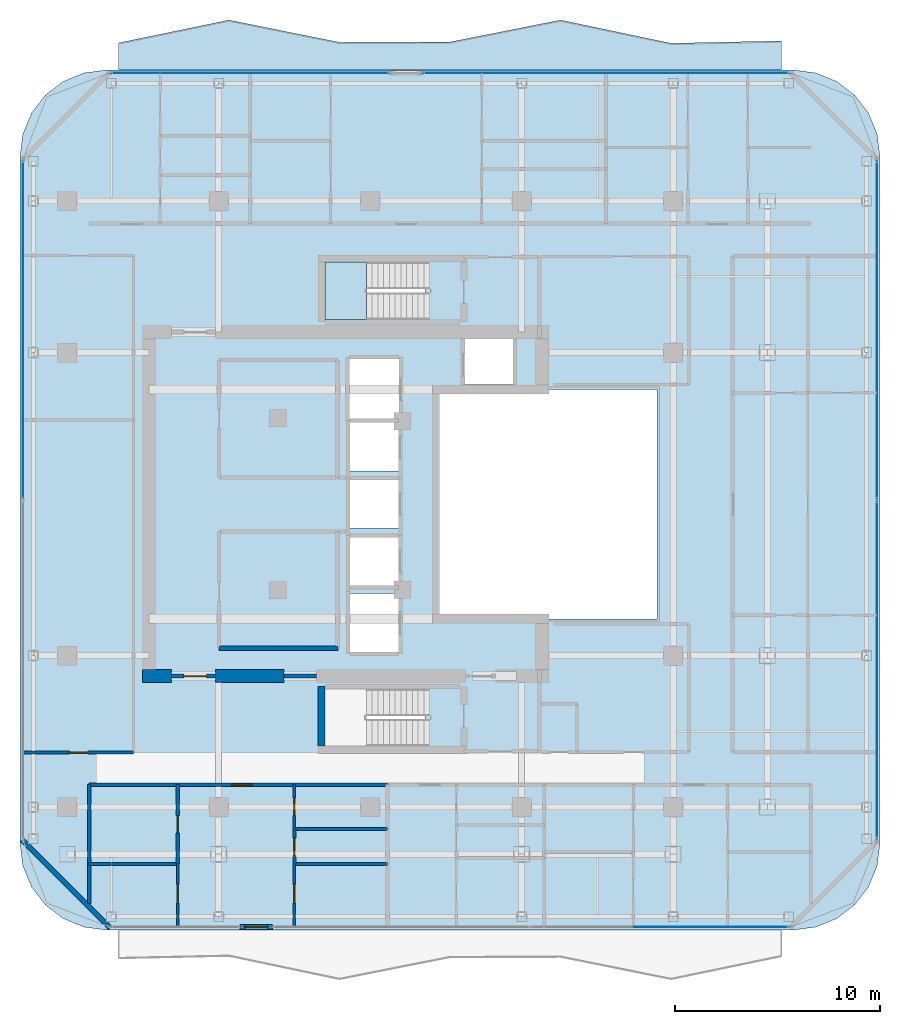
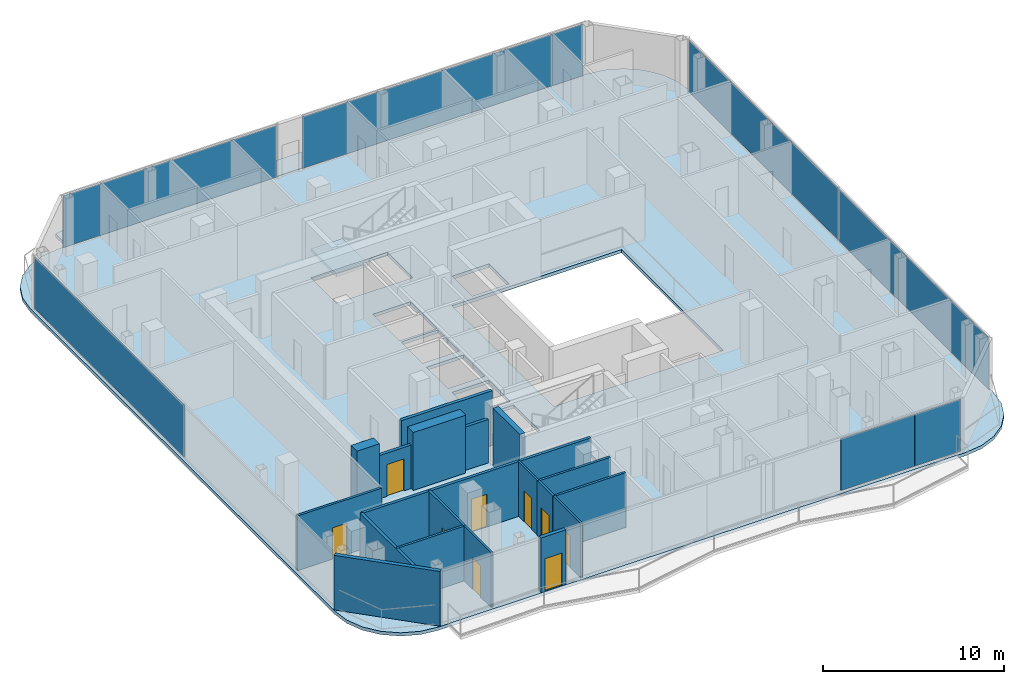
# One storey, part 16 of 23: 19 walls, 9 doors, 8 plates, 3 slabs, 9 openings, 6 elements without a shape of their own.
"""IFC4 building model written with IfcOpenShell, lengths in metres."""

from ifc_helpers import new_model, si_unit, direction, frame, frame_2d, origin, origin_2d, place, context, subcontext, project, spatial, polyline, rectangle, outline, extrude, material, layer, layer_set, type_object, element, fill, aggregate, save


model = new_model("IFC4")

# Units and contexts
model_context = context("Model", 3, precision=1e-05, world=origin(), true_north=direction((0.0, 1.0)))
body_context = subcontext(model_context, "Body", "Model", "MODEL_VIEW")
ifc_project = project(units=[si_unit("LENGTHUNIT", "METRE"), si_unit("AREAUNIT", "SQUARE_METRE"), si_unit("VOLUMEUNIT", "CUBIC_METRE"), si_unit("PLANEANGLEUNIT", "RADIAN"), si_unit("MASSUNIT", "GRAM", prefix="KILO")], contexts=[model_context])

# Site, building, storey
site_placement = place(None, origin())
site = spatial("IfcSite", under=ifc_project, at=site_placement, CompositionType="ELEMENT")
building_placement = place(site_placement, origin())
building = spatial("IfcBuilding", under=site, at=building_placement, Name="Khorvyn Point Tower", CompositionType="ELEMENT")
storey_placement = place(building_placement, frame((0.0, 0.0, 274.199951171875)))
storey = spatial("IfcBuildingStorey", under=building, at=storey_placement, Name="L67", CompositionType="ELEMENT", Elevation=274.199951171875)

# Slabs
ifc_material_1 = material(Name="Concrete C35/45", Category="concrete")
ifc_layer_1 = layer(ifc_material_1, 0.219970703125)
ifc_layer_set_1 = layer_set([ifc_layer_1], Name="Concrete C35/45 Structural Floor Slab 220")
slab_type_1 = type_object("IfcSlabType", Name="Concrete C35/45 Structural Floor Slab 220", PredefinedType="FLOOR", material=ifc_layer_set_1)
slab_1_placement = place(storey_placement, frame((0.0, 0.0, -0.219970703125)))
element("IfcSlab", 1, at=slab_1_placement, inside=storey, type_object=slab_type_1, Name="L67 Main Structural Floor Slab", PredefinedType="FLOOR", context=body_context, shape_type="SweptSolid", body=[
    extrude(outline(polyline([(-12.89990234375, -20.800048828125), (-13.987060546875, -20.656982421875), (-15.0, -20.2373046875), (-15.869873046875, -19.56982421875), (-16.537353515625, -18.699951171875), (-16.956787109375, -17.68701171875), (-17.10009765625, -16.60009765625), (-17.10009765625, 17.0), (-16.956787109375, 18.0869140625), (-16.537353515625, 19.10009765625), (-15.869873046875, 19.9697265625), (-15.0, 20.63720703125), (-13.987060546875, 21.056884765625), (-12.89990234375, 21.199951171875), (20.699951171875, 21.199951171875), (21.787109375, 21.056884765625), (22.800048828125, 20.63720703125), (23.669921875, 19.9697265625), (24.33740234375, 19.10009765625), (24.7568359375, 18.0869140625), (24.89990234375, 17.0), (24.89990234375, -16.60009765625), (24.7568359375, -17.68701171875), (24.33740234375, -18.699951171875), (23.669921875, -19.56982421875), (22.800048828125, -20.2373046875), (21.787109375, -20.656982421875), (20.699951171875, -20.800048828125), (-12.89990234375, -20.800048828125)]), holes=[polyline([(2.679931640625, -11.820068359375), (2.679931640625, -9.02001953125), (-2.199951171875, -9.02001953125), (-2.199951171875, -11.820068359375), (2.679931640625, -11.820068359375)]), polyline([(1.375, -7.22509765625), (1.375, -4.375), (-0.97509765625, -4.375), (-0.97509765625, -7.22509765625), (1.375, -7.22509765625)]), polyline([(1.375, -3.97509765625), (1.375, -1.625), (-0.97509765625, -1.625), (-0.97509765625, -3.97509765625), (1.375, -3.97509765625)]), polyline([(1.375, -1.175048828125), (1.375, 1.175048828125), (-0.97509765625, 1.175048828125), (-0.97509765625, -1.175048828125), (1.375, -1.175048828125)]), polyline([(14.0, -5.60009765625), (14.0, 5.60009765625), (3.199951171875, 5.60009765625), (3.199951171875, -5.60009765625), (14.0, -5.60009765625)]), polyline([(1.375, 1.625), (1.375, 3.97509765625), (-0.97509765625, 3.97509765625), (-0.97509765625, 1.625), (1.375, 1.625)]), polyline([(1.39990234375, 4.125), (1.39990234375, 7.074951171875), (-1.0, 7.074951171875), (-1.0, 4.125), (1.39990234375, 4.125)]), polyline([(4.625, 5.85009765625), (6.97509765625, 5.85009765625), (6.97509765625, 8.054931640625), (4.625, 8.054931640625), (4.625, 5.85009765625)]), polyline([(-2.199951171875, 9.02001953125), (2.679931640625, 9.02001953125), (2.679931640625, 11.820068359375), (-2.199951171875, 11.820068359375), (-2.199951171875, 9.02001953125)])]), origin(), (0.0, 0.0, 1.0), 0.219970703125),
])
ifc_material_2 = material(Name="Concrete C40/50", Category="concrete")
ifc_layer_2 = layer(ifc_material_2, 0.2099609375)
ifc_layer_set_2 = layer_set([ifc_layer_2], Name="Concrete C40/50 Rippling Balcony Slab 210")
slab_type_2 = type_object("IfcSlabType", Name="Concrete C40/50 Rippling Balcony Slab 210", PredefinedType="USERDEFINED", material=ifc_layer_set_2)
slab_2_placement = place(storey_placement, frame((0.0, 0.0, -0.2099609375)))
element("IfcSlab", 2, at=slab_2_placement, inside=storey, type_object=slab_type_2, Name="L67 North Sinusoidal Rippling Balcony", ObjectType="BALCONY", PredefinedType="USERDEFINED", context=body_context, shape_type="SweptSolid", body=[
    extrude(outline(polyline([(20.10009765625, 21.199951171875), (20.10009765625, 22.62255859375), (14.699951171875, 22.5068359375), (9.300048828125, 23.6416015625), (3.89990234375, 22.571533203125), (-1.5, 22.554931640625), (-6.89990234375, 23.642333984375), (-12.300048828125, 22.522705078125), (-12.300048828125, 21.199951171875), (20.10009765625, 21.199951171875)])), origin(), (0.0, 0.0, 1.0), 0.2099609375),
])

# Stair, slab
stair_type = type_object("IfcStairType", Name="Tower Concrete C40/50 Dogleg Exit Stair", PredefinedType="HALF_TURN_STAIR", material=ifc_material_2)
stair_placement = place(storey_placement, origin())
stair = element("IfcStair", 3, at=stair_placement, inside=storey, type_object=stair_type, Name="L67 Tower Smokeproof Exit Stair North", PredefinedType="HALF_TURN_STAIR")
ifc_layer_3 = layer(ifc_material_2, 0.199951171875)
ifc_layer_set_3 = layer_set([ifc_layer_3], Name="Concrete C40/50 Stair Landing Slab 200")
slab_type_3 = type_object("IfcSlabType", Name="Concrete C40/50 Stair Landing Slab 200", PredefinedType="LANDING", material=ifc_layer_set_3)
slab_3_placement = place(storey_placement, frame((0.0, 0.0, 1.75)))
slab_3 = element("IfcSlab", 4, at=slab_3_placement, type_object=slab_type_3, Name="ST-02 landing 1", PredefinedType="LANDING", context=body_context, shape_type="SweptSolid", body=[
    extrude(outline(polyline([(-0.179931640625, 11.820068359375), (-2.199951171875, 11.820068359375), (-2.199951171875, 9.02001953125), (-0.179931640625, 9.02001953125), (-0.179931640625, 11.820068359375)])), origin(), (0.0, 0.0, 1.0), 0.199951171875),
])
aggregate(stair, [slab_3])

# Curtain wall, plates
ifc_material_3 = material(Name="Anodised aluminium 6063-T6 and laminated Low-E glass", Category="aluminium")
ifc_layer_4 = layer(ifc_material_3, 0.18994140625)
ifc_layer_set_4 = layer_set([ifc_layer_4], Name="Stick-Built High-Wind Curtain Wall CW-SYS-04")
curtain_wall_type = type_object("IfcCurtainWallType", Name="Stick-Built High-Wind Curtain Wall CW-SYS-04", PredefinedType="NOTDEFINED", material=ifc_layer_set_4)
curtain_wall_1_placement = place(storey_placement, origin())
curtain_wall_1 = element("IfcCurtainWall", 5, at=curtain_wall_1_placement, inside=storey, type_object=curtain_wall_type, Name="Curtain Wall", PredefinedType="NOTDEFINED")
ifc_material_4 = material(Name="Laminated Low-E insulated glass", Category="glass")
ifc_layer_5 = layer(ifc_material_4, 0.028076171875)
ifc_layer_set_5 = layer_set([ifc_layer_5], Name="Tempered Low-E Vision Glazing Panel CW-GL28")
plate_type = type_object("IfcPlateType", Name="Tempered Low-E Vision Glazing Panel CW-GL28", PredefinedType="CURTAIN_PANEL", material=ifc_layer_set_5)
plate_1_placement = place(storey_placement, frame((15.159423828125, -20.64990234375, 0.10009765625), z_axis=(0.0, 0.0, 1.0), x_axis=(-1.0, 0.0, 0.0)))
plate_1 = element("IfcPlate", 6, at=plate_1_placement, type_object=plate_type, Name="Panel", PredefinedType="CURTAIN_PANEL", context=body_context, shape_type="SweptSolid", body=[
    extrude(rectangle(XDim=4.7109375, YDim=0.028076171875, at=origin_2d()), origin(), (0.0, 0.0, 1.0), 3.47998046875),
])
plate_2_placement = place(storey_placement, frame((18.984619140625, -20.64990234375, 0.10009765625), z_axis=(0.0, 0.0, 1.0), x_axis=(-1.0, 0.0, 0.0)))
plate_2 = element("IfcPlate", 7, at=plate_2_placement, type_object=plate_type, Name="Panel", PredefinedType="CURTAIN_PANEL", context=body_context, shape_type="SweptSolid", body=[
    extrude(rectangle(XDim=2.923095703125, YDim=0.028076171875, at=origin_2d()), origin(), (0.0, 0.0, 1.0), 3.47998046875),
])
aggregate(curtain_wall_1, [plate_1, plate_2])

# Curtain wall, plate
curtain_wall_2_placement = place(storey_placement, origin())
curtain_wall_2 = element("IfcCurtainWall", 8, at=curtain_wall_2_placement, inside=storey, type_object=curtain_wall_type, Name="Curtain Wall", PredefinedType="NOTDEFINED")
plate_3_placement = place(storey_placement, frame((-5.8564453125, 21.050048828125, 0.10009765625), z_axis=(0.0, 0.0, 1.0), x_axis=(1.0, 0.0, 0.0)))
plate_3 = element("IfcPlate", 9, at=plate_3_placement, type_object=plate_type, Name="Panel", PredefinedType="CURTAIN_PANEL", context=body_context, shape_type="SweptSolid", body=[
    extrude(rectangle(XDim=13.5869140625, YDim=0.028076171875, at=origin_2d()), origin(), (0.0, 0.0, 1.0), 3.47998046875),
])
aggregate(curtain_wall_2, [plate_3])

# Curtain wall, plates
curtain_wall_3_placement = place(storey_placement, origin())
curtain_wall_3 = element("IfcCurtainWall", 10, at=curtain_wall_3_placement, inside=storey, type_object=curtain_wall_type, Name="Curtain Wall", PredefinedType="NOTDEFINED")
plate_4_placement = place(storey_placement, frame((10.5439453125, 21.050048828125, 0.10009765625), z_axis=(0.0, 0.0, 1.0), x_axis=(1.0, 0.0, 0.0)))
plate_4 = element("IfcPlate", 11, at=plate_4_placement, type_object=plate_type, Name="Panel", PredefinedType="CURTAIN_PANEL", context=body_context, shape_type="SweptSolid", body=[
    extrude(rectangle(XDim=15.926025390625, YDim=0.028076171875, at=origin_2d()), origin(), (0.0, 0.0, 1.0), 3.47998046875),
])
plate_5_placement = place(storey_placement, frame((19.48046875, 21.050048828125, 0.10009765625), z_axis=(0.0, 0.0, 1.0), x_axis=(1.0, 0.0, 0.0)))
plate_5 = element("IfcPlate", 12, at=plate_5_placement, type_object=plate_type, Name="Panel", PredefinedType="CURTAIN_PANEL", context=body_context, shape_type="SweptSolid", body=[
    extrude(rectangle(XDim=1.930908203125, YDim=0.028076171875, at=origin_2d()), origin(), (0.0, 0.0, 1.0), 3.47998046875),
])
aggregate(curtain_wall_3, [plate_4, plate_5])

# Curtain wall, plate
curtain_wall_4_placement = place(storey_placement, origin())
curtain_wall_4 = element("IfcCurtainWall", 13, at=curtain_wall_4_placement, inside=storey, type_object=curtain_wall_type, Name="Curtain Wall", PredefinedType="NOTDEFINED")
plate_6_placement = place(storey_placement, frame((-16.949951171875, 8.5, 0.10009765625), z_axis=(0.0, 0.0, 1.0), x_axis=(0.0, 1.0, 0.0)))
plate_6 = element("IfcPlate", 14, at=plate_6_placement, type_object=plate_type, Name="Panel", PredefinedType="CURTAIN_PANEL", context=body_context, shape_type="SweptSolid", body=[
    extrude(rectangle(XDim=16.5, YDim=0.028076171875, at=origin_2d()), origin(), (0.0, 0.0, 1.0), 3.47998046875),
])
aggregate(curtain_wall_4, [plate_6])

# Curtain wall, plates
curtain_wall_5_placement = place(storey_placement, origin())
curtain_wall_5 = element("IfcCurtainWall", 15, at=curtain_wall_5_placement, inside=storey, type_object=curtain_wall_type, Name="Curtain Wall", PredefinedType="NOTDEFINED")
plate_7_placement = place(storey_placement, frame((24.75, 8.5, 0.10009765625), z_axis=(0.0, 0.0, 1.0), x_axis=(0.0, -1.0, 0.0)))
plate_7 = element("IfcPlate", 16, at=plate_7_placement, type_object=plate_type, Name="Panel", PredefinedType="CURTAIN_PANEL", context=body_context, shape_type="SweptSolid", body=[
    extrude(rectangle(XDim=16.5, YDim=0.028076171875, at=origin_2d()), origin(), (0.0, 0.0, 1.0), 3.47998046875),
])
plate_8_placement = place(storey_placement, frame((24.75, -8.10009765625, 0.10009765625), z_axis=(0.0, 0.0, 1.0), x_axis=(0.0, -1.0, 0.0)))
plate_8 = element("IfcPlate", 17, at=plate_8_placement, type_object=plate_type, Name="Panel", PredefinedType="CURTAIN_PANEL", context=body_context, shape_type="SweptSolid", body=[
    extrude(rectangle(XDim=16.5, YDim=0.028076171875, at=origin_2d()), origin(), (0.0, 0.0, 1.0), 3.47998046875),
])
aggregate(curtain_wall_5, [plate_7, plate_8])

# Wall, opening, door
ifc_material_5 = material(Name="Double acoustic gypsum on twin steel stud", Category="steel")
ifc_layer_6 = layer(ifc_material_5, 0.179931640625)
ifc_layer_set_6 = layer_set([ifc_layer_6], Name="Acoustic Double-Stud Apartment Demising Wall 180")
wall_type_1 = type_object("IfcWallType", Name="Acoustic Double-Stud Apartment Demising Wall 180", PredefinedType="PARTITIONING", material=ifc_layer_set_6)
wall_1_placement = place(storey_placement, frame((-13.719970703125, -13.699951171875, 0.0), z_axis=(0.0, 0.0, 1.0), x_axis=(1.0, 0.0, 0.0)))
wall_1 = element("IfcWall", 18, at=wall_1_placement, inside=storey, type_object=wall_type_1, Name="Wall", PredefinedType="PARTITIONING", context=body_context, shape_type="SweptSolid", body=[
    extrude(rectangle(XDim=14.56591796875, YDim=0.179931640625, at=frame_2d((7.282958984375, 0.0))), origin(), (0.0, 0.0, 1.0), 3.679931640625),
])
opening_1_placement = place(wall_1_placement, frame((6.9619140625, 0.0, 0.0)))
opening_1 = element("IfcOpeningElement", 19, at=opening_1_placement, cuts=wall_1, Name="Opening ID-AP60", PredefinedType="OPENING", context=body_context, shape_type="SweptSolid", body=[
    extrude(rectangle(XDim=1.0, YDim=2.199951171875, at=frame_2d((0.5, 1.10009765625))), frame((0.0, 0.099853515625, 0.0), z_axis=(0.0, -1.0, 0.0), x_axis=(1.0, 0.0, 0.0)), (0.0, 0.0, 1.0), 0.199951171875),
])
ifc_material_6 = material(Name="Engineered hardwood fire-rated leaf", Category="wood")
door_type_1 = type_object("IfcDoorType", Name="Acoustic Solid-Core Timber Apartment Entrance Door 1000x2200", OperationType="NOTDEFINED", PredefinedType="DOOR", material=ifc_material_6)
door_1_placement = place(opening_1_placement, origin())
door_1 = element("IfcDoor", 20, at=door_1_placement, inside=storey, type_object=door_type_1, Name="Door", OperationType="SINGLE_SWING_RIGHT", OverallHeight=2.199951171875, OverallWidth=1.0, PredefinedType="DOOR", context=body_context, shape_type="SweptSolid", body=[
    extrude(rectangle(XDim=1.0, YDim=2.199951171875, at=frame_2d((0.5, 1.10009765625))), frame((0.0, 0.02490234375, 0.0), z_axis=(0.0, -1.0, 0.0), x_axis=(1.0, 0.0, 0.0)), (0.0, 0.0, 1.0), 0.050048828125),
])
fill(opening_1, door_1)

# Wall
wall_2_placement = place(storey_placement, frame((-13.719970703125, -19.510009765625, 0.0), z_axis=(0.0, 0.0, 1.0), x_axis=(0.0, 1.0, 0.0)))
element("IfcWall", 21, at=wall_2_placement, inside=storey, type_object=wall_type_1, Name="Wall", PredefinedType="PARTITIONING", context=body_context, shape_type="SweptSolid", body=[
    extrude(rectangle(XDim=5.81005859375, YDim=0.179931640625, at=frame_2d((2.905029296875, 0.0))), origin(), (0.0, 0.0, 1.0), 3.679931640625),
])

# Wall, opening, door
ifc_material_7 = material(Name="Pale anodised aluminium rainscreen on steel stud", Category="steel")
ifc_layer_7 = layer(ifc_material_7, 0.239990234375)
ifc_layer_set_7 = layer_set([ifc_layer_7], Name="Anodised Aluminium Insulated Corner Spandrel Wall 240")
wall_type_2 = type_object("IfcWallType", Name="Anodised Aluminium Insulated Corner Spandrel Wall 240", PredefinedType="SOLIDWALL", material=ifc_layer_set_7)
wall_3_placement = place(storey_placement, frame((-4.77294921875, -20.64990234375, 0.0), z_axis=(0.0, 0.0, 1.0), x_axis=(-1.0, 0.0, 0.0)))
wall_3 = element("IfcWall", 22, at=wall_3_placement, inside=storey, type_object=wall_type_2, Name="L67 South Outdoor Threshold Wall", PredefinedType="SOLIDWALL", context=body_context, shape_type="SweptSolid", body=[
    extrude(rectangle(XDim=1.580078125, YDim=0.239990234375, at=frame_2d((0.7900390625, 0.0))), origin(), (0.0, 0.0, 1.0), 3.679931640625),
])
opening_2_placement = place(wall_3_placement, frame((0.239990234375, 0.0, 0.0)))
opening_2 = element("IfcOpeningElement", 23, at=opening_2_placement, cuts=wall_3, Name="Opening BD-1122", PredefinedType="OPENING", context=body_context, shape_type="SweptSolid", body=[
    extrude(rectangle(XDim=1.10009765625, YDim=2.199951171875, at=frame_2d((0.550048828125, 1.10009765625))), frame((0.0, 0.1298828125, 0.0), z_axis=(0.0, -1.0, 0.0), x_axis=(1.0, 0.0, 0.0)), (0.0, 0.0, 1.0), 0.260009765625),
])
door_type_2 = type_object("IfcDoorType", Name="Glazed Balcony and Terrace Threshold Door 1100x2200", OperationType="NOTDEFINED", PredefinedType="DOOR", material=ifc_material_3)
door_2_placement = place(opening_2_placement, origin())
door_2 = element("IfcDoor", 24, at=door_2_placement, inside=storey, type_object=door_type_2, Name="L67 South Glazed Balcony Outdoor Door", OperationType="SINGLE_SWING_RIGHT", OverallHeight=2.199951171875, OverallWidth=1.10009765625, PredefinedType="DOOR", context=body_context, shape_type="SweptSolid", body=[
    extrude(rectangle(XDim=1.10009765625, YDim=2.199951171875, at=frame_2d((0.550048828125, 1.10009765625))), frame((0.0, 0.02490234375, 0.0), z_axis=(0.0, -1.0, 0.0), x_axis=(1.0, 0.0, 0.0)), (0.0, 0.0, 1.0), 0.050048828125),
])
fill(opening_2, door_2)

# Walls
wall_4_placement = place(storey_placement, frame((-12.70751953125, -20.6923828125, 0.0), z_axis=(0.0, 0.0, 1.0), x_axis=(-0.707126925818, 0.707086635981, 0.0)))
element("IfcWall", 25, at=wall_4_placement, inside=storey, type_object=wall_type_2, Name="L67 Rounded Corner Wall SW", PredefinedType="SOLIDWALL", context=body_context, shape_type="SweptSolid", body=[
    extrude(rectangle(XDim=6.0595703125, YDim=0.239990234375, at=frame_2d((3.02978515625, 0.0))), origin(), (0.0, 0.0, 1.0), 3.679931640625),
])
ifc_layer_8 = layer(ifc_material_2, 0.64990234375)
ifc_layer_set_8 = layer_set([ifc_layer_8], Name="Concrete C40/50 Core Shear Wall 650")
wall_type_3 = type_object("IfcWallType", Name="Concrete C40/50 Core Shear Wall 650", PredefinedType="SHEAR", material=ifc_layer_set_8)
wall_5_placement = place(storey_placement, frame((-11.125, -8.39990234375, 0.0), z_axis=(0.0, 0.0, 1.0), x_axis=(1.0, 0.0, 0.0)))
element("IfcWall", 26, at=wall_5_placement, inside=storey, type_object=wall_type_3, Name="Wall", PredefinedType="SHEAR", context=body_context, shape_type="SweptSolid", body=[
    extrude(rectangle(XDim=1.425048828125, YDim=0.64990234375, at=frame_2d((0.71240234375, 0.0))), origin(), (0.0, 0.0, 1.0), 3.900146484375),
])
wall_6_placement = place(storey_placement, frame((-7.550048828125, -8.39990234375, 0.0), z_axis=(0.0, 0.0, 1.0), x_axis=(1.0, 0.0, 0.0)))
element("IfcWall", 27, at=wall_6_placement, inside=storey, type_object=wall_type_3, Name="Wall", PredefinedType="SHEAR", context=body_context, shape_type="SweptSolid", body=[
    extrude(rectangle(XDim=3.35009765625, YDim=0.64990234375, at=frame_2d((1.675048828125, 0.0))), origin(), (0.0, 0.0, 1.0), 3.900146484375),
])

# Wall, opening, door
ifc_layer_9 = layer(ifc_material_2, 0.199951171875)
ifc_layer_set_9 = layer_set([ifc_layer_9], Name="Concrete C40/50 Fire-Lobby Compartment Wall 200")
wall_type_4 = type_object("IfcWallType", Name="Concrete C40/50 Fire-Lobby Compartment Wall 200", PredefinedType="SOLIDWALL", material=ifc_layer_set_9)
wall_7_placement = place(storey_placement, frame((-9.699951171875, -8.39990234375, 0.0), z_axis=(0.0, 0.0, 1.0), x_axis=(1.0, 0.0, 0.0)))
wall_7 = element("IfcWall", 28, at=wall_7_placement, inside=storey, type_object=wall_type_4, Name="Wall", PredefinedType="SOLIDWALL", context=body_context, shape_type="SweptSolid", body=[
    extrude(rectangle(XDim=2.14990234375, YDim=0.199951171875, at=frame_2d((1.074951171875, 0.0))), origin(), (0.0, 0.0, 1.0), 2.920166015625),
])
opening_3_placement = place(wall_7_placement, frame((0.597900390625, 0.0, 0.0)))
opening_3 = element("IfcOpeningElement", 29, at=opening_3_placement, cuts=wall_7, Name="Opening ID-FL90", PredefinedType="OPENING", context=body_context, shape_type="SweptSolid", body=[
    extrude(rectangle(XDim=1.10009765625, YDim=2.14990234375, at=frame_2d((0.550048828125, 1.074951171875))), frame((0.0, 0.10986328125, 0.0), z_axis=(0.0, -1.0, 0.0), x_axis=(1.0, 0.0, 0.0)), (0.0, 0.0, 1.0), 0.219970703125),
])
ifc_material_8 = material(Name="Galvanised powder-coated steel", Category="steel")
door_type_3 = type_object("IfcDoorType", Name="Fire-Rated Steel Lobby and Stair Door 1100x2150", OperationType="NOTDEFINED", PredefinedType="DOOR", material=ifc_material_8)
door_3_placement = place(opening_3_placement, origin())
door_3 = element("IfcDoor", 30, at=door_3_placement, inside=storey, type_object=door_type_3, Name="Door", OperationType="SINGLE_SWING_RIGHT", OverallHeight=2.14990234375, OverallWidth=1.10009765625, PredefinedType="DOOR", context=body_context, shape_type="SweptSolid", body=[
    extrude(rectangle(XDim=1.10009765625, YDim=2.14990234375, at=frame_2d((0.550048828125, 1.074951171875))), frame((0.0, 0.02490234375, 0.0), z_axis=(0.0, -1.0, 0.0), x_axis=(1.0, 0.0, 0.0)), (0.0, 0.0, 1.0), 0.050048828125),
])
fill(opening_3, door_3)

# Walls
wall_8_placement = place(storey_placement, frame((-4.199951171875, -8.39990234375, 0.0), z_axis=(0.0, 0.0, 1.0), x_axis=(1.0, 0.0, 0.0)))
element("IfcWall", 31, at=wall_8_placement, inside=storey, type_object=wall_type_4, Name="Wall", PredefinedType="SOLIDWALL", context=body_context, shape_type="SweptSolid", body=[
    extrude(rectangle(XDim=1.579833984375, YDim=0.199951171875, at=frame_2d((0.7900390625, 0.0))), origin(), (0.0, 0.0, 1.0), 2.920166015625),
])
wall_9_placement = place(storey_placement, frame((-7.3798828125, -7.0400390625, 0.0), z_axis=(0.0, 0.0, 1.0), x_axis=(1.0, 0.0, 0.0)))
element("IfcWall", 32, at=wall_9_placement, inside=storey, type_object=wall_type_4, Name="Wall", PredefinedType="SOLIDWALL", context=body_context, shape_type="SweptSolid", body=[
    extrude(rectangle(XDim=5.7998046875, YDim=0.199951171875, at=frame_2d((2.89990234375, 0.0))), origin(), (0.0, 0.0, 1.0), 3.679931640625),
])
ifc_layer_10 = layer(ifc_material_2, 0.35009765625)
ifc_layer_set_10 = layer_set([ifc_layer_10], Name="Concrete C40/50 Stair Shaft Structural Wall 350")
wall_type_5 = type_object("IfcWallType", Name="Concrete C40/50 Stair Shaft Structural Wall 350", PredefinedType="SHEAR", material=ifc_layer_set_10)
wall_10_placement = place(storey_placement, frame((-2.3798828125, -11.824951171875, 0.0), z_axis=(0.0, 0.0, 1.0), x_axis=(0.0, 1.0, 0.0)))
element("IfcWall", 33, at=wall_10_placement, inside=storey, type_object=wall_type_5, Name="L67 ST-01 West Shaft Wall", PredefinedType="SHEAR", context=body_context, shape_type="SweptSolid", body=[
    extrude(rectangle(XDim=2.925048828125, YDim=0.35009765625, at=frame_2d((1.46240234375, 0.0))), origin(), (0.0, 0.0, 1.0), 3.900146484375),
])

# Wall, opening, door
ifc_material_9 = material(Name="Gypsum plasterboard on steel stud", Category="steel")
ifc_layer_11 = layer(ifc_material_9, 0.1201171875)
ifc_layer_set_11 = layer_set([ifc_layer_11], Name="Gypsum Acoustic Stud Room Partition Wall 120")
wall_type_6 = type_object("IfcWallType", Name="Gypsum Acoustic Stud Room Partition Wall 120", PredefinedType="PARTITIONING", material=ifc_layer_set_11)
wall_11_placement = place(storey_placement, frame((-9.39697265625, -20.6298828125, 0.0), z_axis=(0.0, 0.0, 1.0), x_axis=(0.0, 1.0, 0.0)))
wall_11 = element("IfcWall", 34, at=wall_11_placement, inside=storey, type_object=wall_type_6, Name="Wall", PredefinedType="PARTITIONING", context=body_context, shape_type="SweptSolid", body=[
    extrude(rectangle(XDim=3.0439453125, YDim=0.1201171875, at=frame_2d((1.52197265625, 0.0))), origin(), (0.0, 0.0, 1.0), 3.679931640625),
])
opening_4_placement = place(wall_11_placement, frame((1.15478515625, 0.0, 0.0)))
opening_4 = element("IfcOpeningElement", 35, at=opening_4_placement, cuts=wall_11, Name="Opening ID-RM90", PredefinedType="OPENING", context=body_context, shape_type="SweptSolid", body=[
    extrude(rectangle(XDim=0.89990234375, YDim=2.10009765625, at=frame_2d((0.449951171875, 1.050048828125))), frame((0.0, 0.070068359375, 0.0), z_axis=(0.0, -1.0, 0.0), x_axis=(1.0, 0.0, 0.0)), (0.0, 0.0, 1.0), 0.14013671875),
])
ifc_material_10 = material(Name="Engineered oak veneer timber", Category="wood")
door_type_4 = type_object("IfcDoorType", Name="Flush Engineered Timber Room Door 900x2100", OperationType="NOTDEFINED", PredefinedType="DOOR", material=ifc_material_10)
door_4_placement = place(opening_4_placement, origin())
door_4 = element("IfcDoor", 36, at=door_4_placement, inside=storey, type_object=door_type_4, Name="Door", OperationType="SINGLE_SWING_RIGHT", OverallHeight=2.10009765625, OverallWidth=0.89990234375, PredefinedType="DOOR", context=body_context, shape_type="SweptSolid", body=[
    extrude(rectangle(XDim=0.89990234375, YDim=2.10009765625, at=frame_2d((0.449951171875, 1.050048828125))), frame((0.0, 0.02490234375, 0.0), z_axis=(0.0, -1.0, 0.0), x_axis=(1.0, 0.0, 0.0)), (0.0, 0.0, 1.0), 0.050048828125),
])
fill(opening_4, door_4)

wall_12_placement = place(storey_placement, frame((-3.698974609375, -15.8759765625, 0.0), z_axis=(0.0, 0.0, 1.0), x_axis=(0.0, 1.0, 0.0)))
wall_12 = element("IfcWall", 37, at=wall_12_placement, inside=storey, type_object=wall_type_6, Name="Wall", PredefinedType="PARTITIONING", context=body_context, shape_type="SweptSolid", body=[
    extrude(rectangle(XDim=2.176025390625, YDim=0.1201171875, at=frame_2d((1.087890625, 0.0))), origin(), (0.0, 0.0, 1.0), 3.679931640625),
])
opening_5_placement = place(wall_12_placement, frame((0.6630859375, 0.0, 0.0)))
opening_5 = element("IfcOpeningElement", 38, at=opening_5_placement, cuts=wall_12, Name="Opening ID-WC85", PredefinedType="OPENING", context=body_context, shape_type="SweptSolid", body=[
    extrude(rectangle(XDim=0.85009765625, YDim=2.10009765625, at=frame_2d((0.425048828125, 1.050048828125))), frame((0.0, 0.070068359375, 0.0), z_axis=(0.0, -1.0, 0.0), x_axis=(1.0, 0.0, 0.0)), (0.0, 0.0, 1.0), 0.14013671875),
])
ifc_material_11 = material(Name="High-pressure laminate on moisture-resistant core", Category="wood")
door_type_5 = type_object("IfcDoorType", Name="Moisture-Resistant Accessible Washroom Door 850x2100", OperationType="NOTDEFINED", PredefinedType="DOOR", material=ifc_material_11)
door_5_placement = place(opening_5_placement, origin())
door_5 = element("IfcDoor", 39, at=door_5_placement, inside=storey, type_object=door_type_5, Name="Door", OperationType="SINGLE_SWING_RIGHT", OverallHeight=2.10009765625, OverallWidth=0.85009765625, PredefinedType="DOOR", context=body_context, shape_type="SweptSolid", body=[
    extrude(rectangle(XDim=0.85009765625, YDim=2.10009765625, at=frame_2d((0.425048828125, 1.050048828125))), frame((0.0, 0.02490234375, 0.0), z_axis=(0.0, -1.0, 0.0), x_axis=(1.0, 0.0, 0.0)), (0.0, 0.0, 1.0), 0.050048828125),
])
fill(opening_5, door_5)

wall_13_placement = place(storey_placement, frame((-3.698974609375, -20.6298828125, 0.0), z_axis=(0.0, 0.0, 1.0), x_axis=(0.0, 1.0, 0.0)))
wall_13 = element("IfcWall", 40, at=wall_13_placement, inside=storey, type_object=wall_type_6, Name="Wall", PredefinedType="PARTITIONING", context=body_context, shape_type="SweptSolid", body=[
    extrude(rectangle(XDim=3.0439453125, YDim=0.1201171875, at=frame_2d((1.52197265625, 0.0))), origin(), (0.0, 0.0, 1.0), 3.679931640625),
])
opening_6_placement = place(wall_13_placement, frame((1.15478515625, 0.0, 0.0)))
opening_6 = element("IfcOpeningElement", 41, at=opening_6_placement, cuts=wall_13, Name="Opening ID-RM90", PredefinedType="OPENING", context=body_context, shape_type="SweptSolid", body=[
    extrude(rectangle(XDim=0.89990234375, YDim=2.10009765625, at=frame_2d((0.449951171875, 1.050048828125))), frame((0.0, 0.070068359375, 0.0), z_axis=(0.0, -1.0, 0.0), x_axis=(1.0, 0.0, 0.0)), (0.0, 0.0, 1.0), 0.14013671875),
])
door_6_placement = place(opening_6_placement, origin())
door_6 = element("IfcDoor", 42, at=door_6_placement, inside=storey, type_object=door_type_4, Name="Door", OperationType="SINGLE_SWING_LEFT", OverallHeight=2.10009765625, OverallWidth=0.89990234375, PredefinedType="DOOR", context=body_context, shape_type="SweptSolid", body=[
    extrude(rectangle(XDim=0.89990234375, YDim=2.10009765625, at=frame_2d((0.449951171875, 1.050048828125))), frame((0.0, 0.02490234375, 0.0), z_axis=(0.0, -1.0, 0.0), x_axis=(1.0, 0.0, 0.0)), (0.0, 0.0, 1.0), 0.050048828125),
])
fill(opening_6, door_6)

ifc_material_12 = material(Name="Moisture-resistant gypsum and cement board", Category="gypsum")
ifc_layer_12 = layer(ifc_material_12, 0.14990234375)
ifc_layer_set_12 = layer_set([ifc_layer_12], Name="Moisture-Resistant Wet-Room Partition Wall 150")
wall_type_7 = type_object("IfcWallType", Name="Moisture-Resistant Wet-Room Partition Wall 150", PredefinedType="PARTITIONING", material=ifc_layer_set_12)
wall_14_placement = place(storey_placement, frame((-9.39697265625, -17.5859375, 0.0), z_axis=(0.0, 0.0, 1.0), x_axis=(0.0, 1.0, 0.0)))
wall_14 = element("IfcWall", 43, at=wall_14_placement, inside=storey, type_object=wall_type_7, Name="Wall", PredefinedType="PARTITIONING", context=body_context, shape_type="SweptSolid", body=[
    extrude(rectangle(XDim=3.885986328125, YDim=0.14990234375, at=frame_2d((1.94287109375, 0.0))), origin(), (0.0, 0.0, 1.0), 3.679931640625),
])
opening_7_placement = place(wall_14_placement, frame((1.51806640625, 0.0, 0.0)))
opening_7 = element("IfcOpeningElement", 44, at=opening_7_placement, cuts=wall_14, Name="Opening ID-WC85", PredefinedType="OPENING", context=body_context, shape_type="SweptSolid", body=[
    extrude(rectangle(XDim=0.85009765625, YDim=2.10009765625, at=frame_2d((0.425048828125, 1.050048828125))), frame((0.0, 0.0849609375, 0.0), z_axis=(0.0, -1.0, 0.0), x_axis=(1.0, 0.0, 0.0)), (0.0, 0.0, 1.0), 0.169921875),
])
door_7_placement = place(opening_7_placement, origin())
door_7 = element("IfcDoor", 45, at=door_7_placement, inside=storey, type_object=door_type_5, Name="Door", OperationType="SINGLE_SWING_LEFT", OverallHeight=2.10009765625, OverallWidth=0.85009765625, PredefinedType="DOOR", context=body_context, shape_type="SweptSolid", body=[
    extrude(rectangle(XDim=0.85009765625, YDim=2.10009765625, at=frame_2d((0.425048828125, 1.050048828125))), frame((0.0, 0.02490234375, 0.0), z_axis=(0.0, -1.0, 0.0), x_axis=(1.0, 0.0, 0.0)), (0.0, 0.0, 1.0), 0.050048828125),
])
fill(opening_7, door_7)

wall_15_placement = place(storey_placement, frame((-3.698974609375, -17.5859375, 0.0), z_axis=(0.0, 0.0, 1.0), x_axis=(0.0, 1.0, 0.0)))
wall_15 = element("IfcWall", 46, at=wall_15_placement, inside=storey, type_object=wall_type_7, Name="Wall", PredefinedType="PARTITIONING", context=body_context, shape_type="SweptSolid", body=[
    extrude(rectangle(XDim=1.7099609375, YDim=0.14990234375, at=frame_2d((0.85498046875, 0.0))), origin(), (0.0, 0.0, 1.0), 3.679931640625),
])
opening_8_placement = place(wall_15_placement, frame((0.429931640625, 0.0, 0.0)))
opening_8 = element("IfcOpeningElement", 47, at=opening_8_placement, cuts=wall_15, Name="Opening ID-WC85", PredefinedType="OPENING", context=body_context, shape_type="SweptSolid", body=[
    extrude(rectangle(XDim=0.85009765625, YDim=2.10009765625, at=frame_2d((0.425048828125, 1.050048828125))), frame((0.0, 0.0849609375, 0.0), z_axis=(0.0, -1.0, 0.0), x_axis=(1.0, 0.0, 0.0)), (0.0, 0.0, 1.0), 0.169921875),
])
door_8_placement = place(opening_8_placement, origin())
door_8 = element("IfcDoor", 48, at=door_8_placement, inside=storey, type_object=door_type_5, Name="Door", OperationType="SINGLE_SWING_LEFT", OverallHeight=2.10009765625, OverallWidth=0.85009765625, PredefinedType="DOOR", context=body_context, shape_type="SweptSolid", body=[
    extrude(rectangle(XDim=0.85009765625, YDim=2.10009765625, at=frame_2d((0.425048828125, 1.050048828125))), frame((0.0, 0.02490234375, 0.0), z_axis=(0.0, -1.0, 0.0), x_axis=(1.0, 0.0, 0.0)), (0.0, 0.0, 1.0), 0.050048828125),
])
fill(opening_8, door_8)

wall_16_placement = place(storey_placement, frame((-16.929931640625, -12.139892578125, 0.0), z_axis=(0.0, 0.0, 1.0), x_axis=(1.0, 0.0, 0.0)))
wall_16 = element("IfcWall", 49, at=wall_16_placement, inside=storey, type_object=wall_type_7, Name="Wall", PredefinedType="PARTITIONING", context=body_context, shape_type="SweptSolid", body=[
    extrude(rectangle(XDim=5.3798828125, YDim=0.14990234375, at=frame_2d((2.68994140625, 0.0))), origin(), (0.0, 0.0, 1.0), 3.679931640625),
])
opening_9_placement = place(wall_16_placement, frame((2.239990234375, 0.0, 0.0)))
opening_9 = element("IfcOpeningElement", 50, at=opening_9_placement, cuts=wall_16, Name="Opening ID-RM90", PredefinedType="OPENING", context=body_context, shape_type="SweptSolid", body=[
    extrude(rectangle(XDim=0.89990234375, YDim=2.10009765625, at=frame_2d((0.449951171875, 1.050048828125))), frame((0.0, 0.0849609375, 0.0), z_axis=(0.0, -1.0, 0.0), x_axis=(1.0, 0.0, 0.0)), (0.0, 0.0, 1.0), 0.169921875),
])
door_9_placement = place(opening_9_placement, origin())
door_9 = element("IfcDoor", 51, at=door_9_placement, inside=storey, type_object=door_type_4, Name="Door", OperationType="SINGLE_SWING_LEFT", OverallHeight=2.10009765625, OverallWidth=0.89990234375, PredefinedType="DOOR", context=body_context, shape_type="SweptSolid", body=[
    extrude(rectangle(XDim=0.89990234375, YDim=2.10009765625, at=frame_2d((0.449951171875, 1.050048828125))), frame((0.0, 0.02490234375, 0.0), z_axis=(0.0, -1.0, 0.0), x_axis=(1.0, 0.0, 0.0)), (0.0, 0.0, 1.0), 0.050048828125),
])
fill(opening_9, door_9)

# Walls
wall_17_placement = place(storey_placement, frame((-13.719970703125, -17.5859375, 0.0), z_axis=(0.0, 0.0, 1.0), x_axis=(1.0, 0.0, 0.0)))
element("IfcWall", 52, at=wall_17_placement, inside=storey, type_object=wall_type_7, Name="Wall", PredefinedType="PARTITIONING", context=body_context, shape_type="SweptSolid", body=[
    extrude(rectangle(XDim=4.322998046875, YDim=0.14990234375, at=frame_2d((2.16162109375, 0.0))), origin(), (0.0, 0.0, 1.0), 3.679931640625),
])
for number, where, z_axis, x_axis, name in (
    (53, (-3.698974609375, -15.8759765625, 0.0), (0.0, 0.0, 1.0), (1.0, 0.0, 0.0), "Wall"),
    (54, (-3.698974609375, -17.5859375, 0.0), (0.0, 0.0, 1.0), (1.0, 0.0, 0.0), "Wall"),
):
    element("IfcWall", number, at=place(storey_placement, frame(where, z_axis=z_axis, x_axis=x_axis)), inside=storey, type_object=wall_type_7, Name=name, PredefinedType="PARTITIONING", context=body_context, shape_type="SweptSolid", body=[
        extrude(rectangle(XDim=4.544921875, YDim=0.14990234375, at=frame_2d((2.2724609375, 0.0))), origin(), (0.0, 0.0, 1.0), 3.679931640625),
    ])

save(model, "model.ifc")
